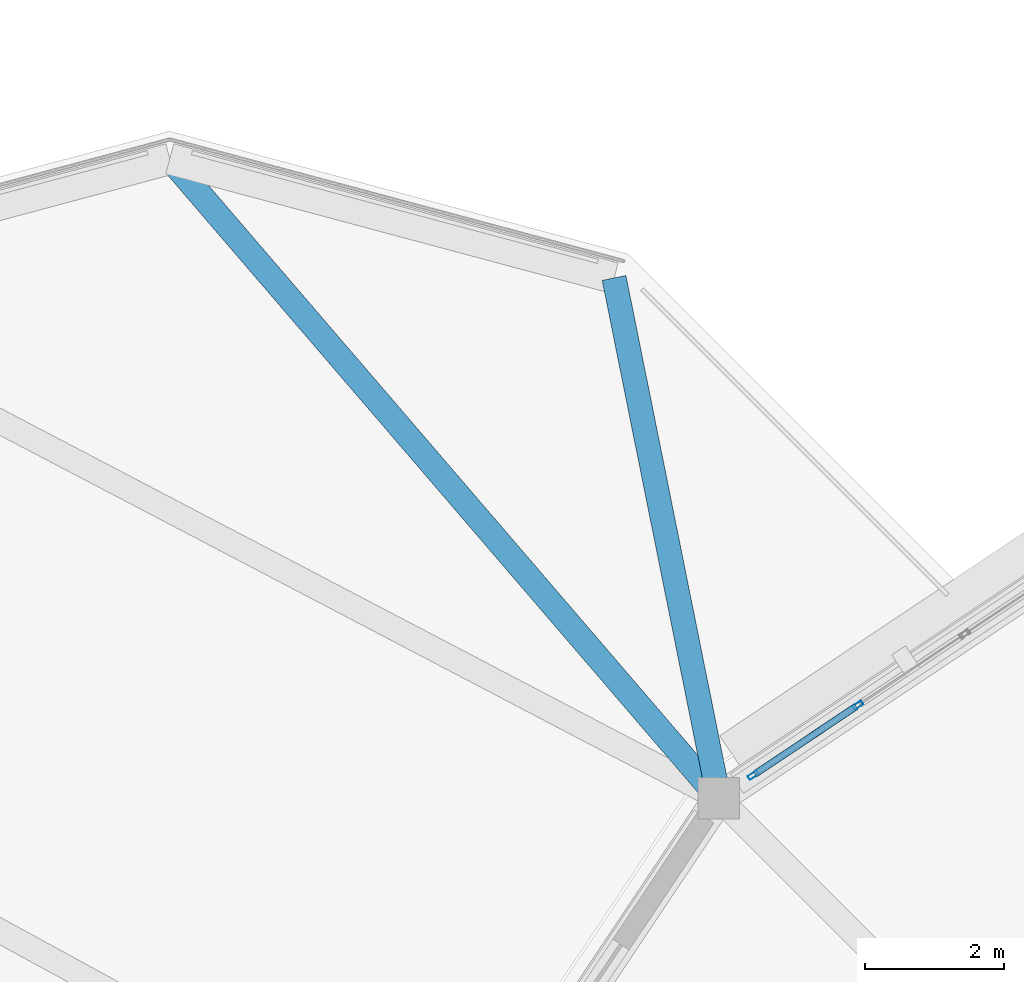
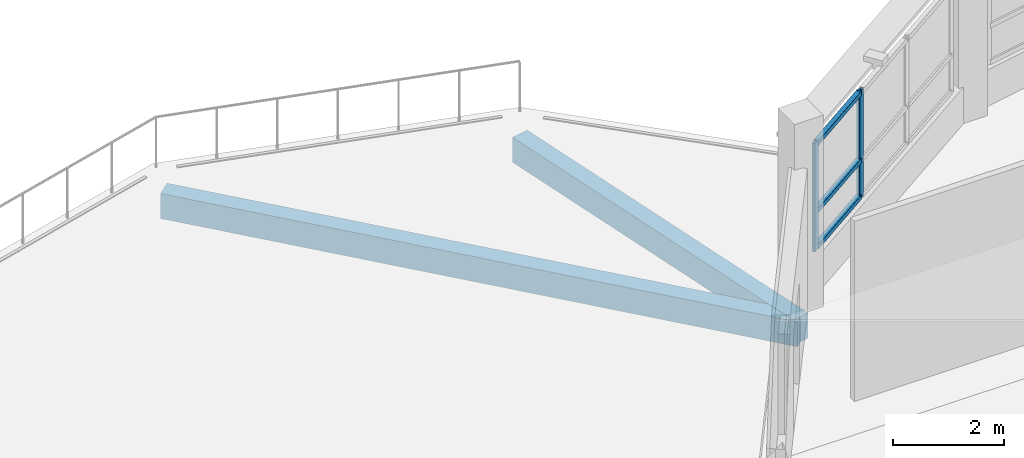
# One storey, part 43 of 128: 5 members, 2 beams, 1 element without a shape of its own.
"""IFC4 building model written with IfcOpenShell, lengths in metres."""

from ifc_helpers import new_model, si_unit, direction, frame, origin, origin_2d, place, context, subcontext, project, spatial, rectangle, hollow_rectangle, extrude, material, layer, layer_set, material_profile, profile_set, type_object, element, aggregate, save


model = new_model("IFC4")

# Units and contexts
model_context = context("Model", 3, precision=1e-05, world=origin(), true_north=direction((0.0, 1.0)))
body_context = subcontext(model_context, "Body", "Model", "MODEL_VIEW")
ifc_project = project(units=[si_unit("LENGTHUNIT", "METRE"), si_unit("AREAUNIT", "SQUARE_METRE"), si_unit("VOLUMEUNIT", "CUBIC_METRE"), si_unit("PLANEANGLEUNIT", "RADIAN"), si_unit("MASSUNIT", "GRAM", prefix="KILO")], contexts=[model_context])

# Site, building, storey
site_placement = place(None, origin())
site = spatial("IfcSite", under=ifc_project, at=site_placement, CompositionType="ELEMENT")
building_placement = place(site_placement, origin())
building = spatial("IfcBuilding", under=site, at=building_placement, Name="Vespera Passage Community Centre", CompositionType="ELEMENT")
storey_placement = place(building_placement, frame((0.0, 0.0, 4.5)))
storey = spatial("IfcBuildingStorey", under=building, at=storey_placement, Name="L01", CompositionType="ELEMENT", Elevation=4.5)

# Beams
ifc_material_1 = material(Name="Concrete f'c 35 MPa", Category="concrete")
ifc_material_profile_1 = material_profile(ifc_material_1, rectangle(XDim=0.35009765625, YDim=0.550048828125, at=origin_2d()), Name="RC350X550")
ifc_profile_set_1 = profile_set([ifc_material_profile_1], Name="Concrete f'c 35 MPa")
beam_type = type_object("IfcBeamType", Name="BM-J-350X550", PredefinedType="JOIST", material=ifc_profile_set_1)
beam_1_placement = place(storey_placement, frame((127.39990234375, 44.585205078125, -0.574951171875), z_axis=(0.197350541523, -0.980332986164, 0.0), x_axis=(0.980332986164, 0.197350541523, 0.0)))
element("IfcBeam", 1, at=beam_1_placement, inside=storey, type_object=beam_type, Name="V3A L01 Radial Tie Girder 1", PredefinedType="JOIST", context=body_context, shape_type="SweptSolid", body=[
    extrude(rectangle(XDim=0.35009765625, YDim=0.550048828125, at=origin_2d()), origin(), (0.0, 0.0, 1.0), 7.64404296875),
])
beam_2_placement = place(storey_placement, frame((121.0, 46.300048828125, -0.574951171875), z_axis=(0.651524844095, -0.758627298169, 0.0), x_axis=(0.758627298169, 0.651524844095, 0.0)))
element("IfcBeam", 2, at=beam_2_placement, inside=storey, type_object=beam_type, Name="V3A L01 Radial Tie Girder 2", PredefinedType="JOIST", context=body_context, shape_type="SweptSolid", body=[
    extrude(rectangle(XDim=0.35009765625, YDim=0.550048828125, at=origin_2d()), origin(), (0.0, 0.0, 1.0), 12.138427734375),
])

# Curtain wall, members
ifc_material_2 = material(Name="Anodized aluminium 6063-T6", Category="aluminium")
ifc_layer = layer(ifc_material_2, 0.159912109375)
ifc_layer_set = layer_set([ifc_layer], Name="Anodized aluminium 6063-T6")
curtain_wall_type = type_object("IfcCurtainWallType", Name="CW-106E", PredefinedType="NOTDEFINED", material=ifc_layer_set)
curtain_wall_placement = place(storey_placement, origin())
curtain_wall = element("IfcCurtainWall", 3, at=curtain_wall_placement, inside=storey, type_object=curtain_wall_type, Name="Dining Drum Ribbon Curtain Wall L01.6", PredefinedType="NOTDEFINED")
ifc_material_3 = material(Name="Anodized aluminium 6063-T6", Category="aluminium")
ifc_material_profile_2 = material_profile(ifc_material_3, hollow_rectangle(XDim=0.06494140625, YDim=0.14990234375, WallThickness=0.00390625, InnerFilletRadius=0.001953125, OuterFilletRadius=0.00390625, at=origin_2d()), Name="ALU150X65X4")
ifc_profile_set_2 = profile_set([ifc_material_profile_2], Name="Anodized aluminium 6063-T6")
member_type_1 = type_object("IfcMemberType", Name="MB-CWM-150E", PredefinedType="MULLION", material=ifc_profile_set_2)
member_1_placement = place(storey_placement, frame((129.40185546875, 37.421142578125, 0.800048828125), z_axis=(0.0, 0.0, 1.0), x_axis=(-0.555564700918, 0.831473308708, 0.0)))
member_1 = element("IfcMember", 4, at=member_1_placement, type_object=member_type_1, Name="CW-106E mullion 1", PredefinedType="MULLION", context=body_context, shape_type="SweptSolid", body=[
    extrude(hollow_rectangle(XDim=0.06494140625, YDim=0.14990234375, WallThickness=0.00390625, InnerFilletRadius=0.001953125, OuterFilletRadius=0.00390625, at=origin_2d()), origin(), (0.0, 0.0, 1.0), 2.375),
])
member_2_placement = place(storey_placement, frame((130.9130859375, 38.430908203125, 0.800048828125), z_axis=(0.0, 0.0, 1.0), x_axis=(-0.555564700918, 0.831473308708, 0.0)))
member_2 = element("IfcMember", 5, at=member_2_placement, type_object=member_type_1, Name="CW-106E mullion 2", PredefinedType="MULLION", context=body_context, shape_type="SweptSolid", body=[
    extrude(hollow_rectangle(XDim=0.06494140625, YDim=0.14990234375, WallThickness=0.00390625, InnerFilletRadius=0.001953125, OuterFilletRadius=0.00390625, at=origin_2d()), origin(), (0.0, 0.0, 1.0), 2.375),
])
ifc_material_4 = material(Name="Anodized aluminium 6063-T6", Category="aluminium")
ifc_material_profile_3 = material_profile(ifc_material_4, hollow_rectangle(XDim=0.10009765625, YDim=0.10009765625, WallThickness=0.00390625, InnerFilletRadius=0.001953125, OuterFilletRadius=0.00390625, at=origin_2d()), Name="ALU100X100X4")
ifc_profile_set_3 = profile_set([ifc_material_profile_3], Name="Anodized aluminium 6063-T6")
member_type_2 = type_object("IfcMemberType", Name="MB-CWT-100E", PredefinedType="USERDEFINED", material=ifc_profile_set_3)
member_3_placement = place(storey_placement, frame((129.428955078125, 37.439208984375, 0.85009765625), z_axis=(0.831492667194, 0.555535727386, 0.0), x_axis=(-0.555535727386, 0.831492667194, 0.0)))
member_3 = element("IfcMember", 6, at=member_3_placement, type_object=member_type_2, Name="CW-106E transom 1.1", ObjectType="TRANSOM", PredefinedType="USERDEFINED", context=body_context, shape_type="SweptSolid", body=[
    extrude(hollow_rectangle(XDim=0.10009765625, YDim=0.10009765625, WallThickness=0.00390625, InnerFilletRadius=0.001953125, OuterFilletRadius=0.00390625, at=origin_2d()), origin(), (0.0, 0.0, 1.0), 1.752685546875),
])
member_4_placement = place(storey_placement, frame((129.428955078125, 37.439208984375, 1.64990234375), z_axis=(0.831492667194, 0.555535727386, 0.0), x_axis=(-0.555535727386, 0.831492667194, 0.0)))
member_4 = element("IfcMember", 7, at=member_4_placement, type_object=member_type_2, Name="CW-106E transom 1.2", ObjectType="TRANSOM", PredefinedType="USERDEFINED", context=body_context, shape_type="SweptSolid", body=[
    extrude(hollow_rectangle(XDim=0.10009765625, YDim=0.10009765625, WallThickness=0.00390625, InnerFilletRadius=0.001953125, OuterFilletRadius=0.00390625, at=origin_2d()), origin(), (0.0, 0.0, 1.0), 1.752685546875),
])
member_5_placement = place(storey_placement, frame((129.428955078125, 37.439208984375, 3.125), z_axis=(0.831492667194, 0.555535727386, 0.0), x_axis=(-0.555535727386, 0.831492667194, 0.0)))
member_5 = element("IfcMember", 8, at=member_5_placement, type_object=member_type_2, Name="CW-106E transom 1.3", ObjectType="TRANSOM", PredefinedType="USERDEFINED", context=body_context, shape_type="SweptSolid", body=[
    extrude(hollow_rectangle(XDim=0.10009765625, YDim=0.10009765625, WallThickness=0.00390625, InnerFilletRadius=0.001953125, OuterFilletRadius=0.00390625, at=origin_2d()), origin(), (0.0, 0.0, 1.0), 1.752685546875),
])
aggregate(curtain_wall, [member_1, member_2, member_3, member_4, member_5])

save(model, "model.ifc")
